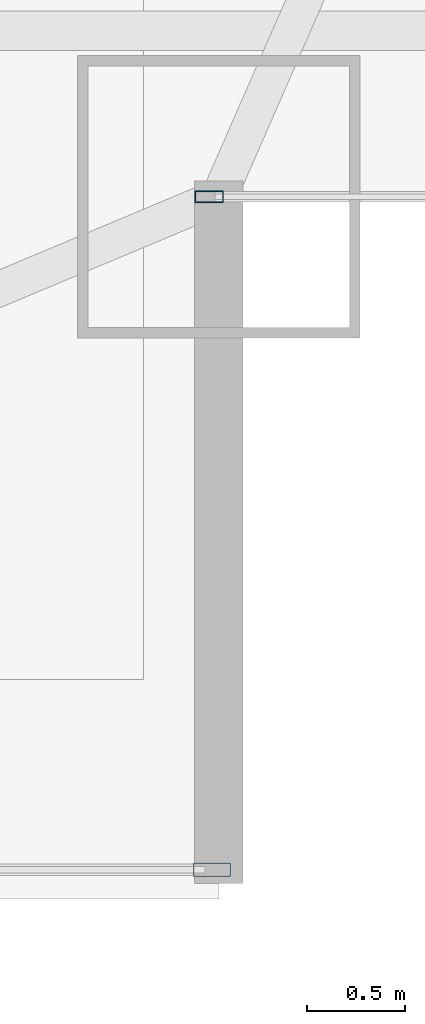
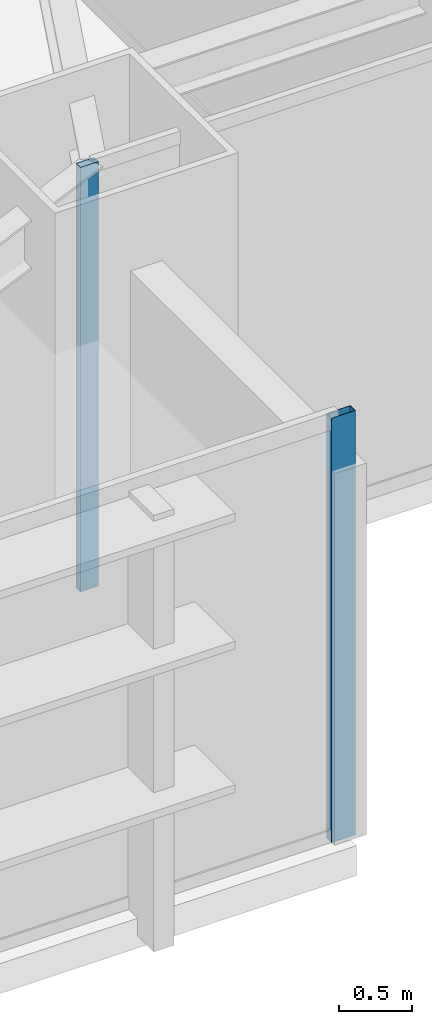
# One storey, part 14 of 32: 2 members, 2 elements without a shape of their own.
"""IFC4 building model written with IfcOpenShell, lengths in metres."""

from ifc_helpers import new_model, si_unit, direction, frame, origin, origin_2d, place, context, subcontext, project, spatial, hollow_rectangle, extrude, source, transform, mapped, material, layer, layer_set, material_profile, profile_set, type_object, type_shapes, element, aggregate, save


model = new_model("IFC4")

# Units and contexts
model_context = context("Model", 3, precision=1e-05, world=origin(), true_north=direction((0.0, 1.0)))
body_context = subcontext(model_context, "Body", "Model", "MODEL_VIEW")
ifc_project = project(units=[si_unit("LENGTHUNIT", "METRE"), si_unit("AREAUNIT", "SQUARE_METRE"), si_unit("VOLUMEUNIT", "CUBIC_METRE"), si_unit("PLANEANGLEUNIT", "RADIAN"), si_unit("MASSUNIT", "GRAM", prefix="KILO")], contexts=[model_context])

# Site, building, storey
site_placement = place(None, origin())
site = spatial("IfcSite", under=ifc_project, at=site_placement, CompositionType="ELEMENT")
building_placement = place(site_placement, origin())
building = spatial("IfcBuilding", under=site, at=building_placement, Name="Varnel Quay Broadcast Tower", CompositionType="ELEMENT")
storey_placement = place(building_placement, frame((0.0, 0.0, 90.800048828125)))
storey = spatial("IfcBuildingStorey", under=building, at=storey_placement, Name="L21", CompositionType="ELEMENT", Elevation=90.800048828125)

# Curtain wall, member
ifc_material = material(Name="Anodised Bronze Aluminium 6063-T6", Category="aluminium")
ifc_layer_1 = layer(ifc_material, 0.18994140625, Name="Anodised Bronze Aluminium 6063-T6")
ifc_layer_set_1 = layer_set([ifc_layer_1], Name="Anodised Bronze Aluminium 6063-T6")
curtain_wall_type_1 = type_object("IfcCurtainWallType", Name="CW_LowerTower", PredefinedType="NOTDEFINED", material=ifc_layer_set_1)
curtain_wall_1_placement = place(storey_placement, origin())
curtain_wall_1 = element("IfcCurtainWall", 1, at=curtain_wall_1_placement, inside=storey, type_object=curtain_wall_type_1, Name="L21 South Unitised Curtain Wall 1", PredefinedType="NOTDEFINED")
ifc_material_profile_1 = material_profile(ifc_material, hollow_rectangle(XDim=0.070068359375, YDim=0.18994140625, WallThickness=0.00390625, at=origin_2d()), Name="ALU70X190X4")
ifc_profile_set_1 = profile_set([ifc_material_profile_1], Name="Anodised Bronze Aluminium 6063-T6")
member_type_1 = type_object("IfcMemberType", Name="Mull_CWS-02", PredefinedType="MULLION", material=ifc_profile_set_1)
shared_shape_1 = source(origin(), body_context, "Body", "SweptSolid", [
    extrude(hollow_rectangle(XDim=0.070068359375, YDim=0.18994140625, WallThickness=0.00390625, at=origin_2d()), origin(), (0.0, 0.0, 1.0), 3.550048828125),
])
type_shapes(member_type_1, [shared_shape_1])
member_1_placement = place(storey_placement, frame((59.864990234375, 4.35009765625, 0.0), z_axis=(0.0, 0.0, 1.0), x_axis=(0.0, 1.0, 0.0)))
member_1 = element("IfcMember", 2, at=member_1_placement, type_object=member_type_1, Name="CWS-02 mullion 5", PredefinedType="MULLION", context=body_context, shape_type="MappedRepresentation", body=[
    mapped(shared_shape_1, transform((0.0, 0.0, 0.0), x_axis=(1.0, 0.0, 0.0), y_axis=(0.0, 1.0, 0.0), z_axis=(0.0, 0.0, 1.0), scale=1.0)),
])
aggregate(curtain_wall_1, [member_1])

ifc_layer_2 = layer(ifc_material, 0.18994140625, Name="Anodised Bronze Aluminium 6063-T6")
ifc_layer_set_2 = layer_set([ifc_layer_2], Name="Anodised Bronze Aluminium 6063-T6")
curtain_wall_type_2 = type_object("IfcCurtainWallType", Name="CW_NotchCorner", PredefinedType="NOTDEFINED", material=ifc_layer_set_2)
curtain_wall_2_placement = place(storey_placement, origin())
curtain_wall_2 = element("IfcCurtainWall", 3, at=curtain_wall_2_placement, inside=storey, type_object=curtain_wall_type_2, Name="L21 SE Notch Curtain Wall", PredefinedType="NOTDEFINED")
ifc_material_profile_2 = material_profile(ifc_material, hollow_rectangle(XDim=0.06005859375, YDim=0.14501953125, WallThickness=0.00341796875, at=origin_2d()), Name="ALU60X145X3.5")
ifc_profile_set_2 = profile_set([ifc_material_profile_2], Name="Anodised Bronze Aluminium 6063-T6")
member_type_2 = type_object("IfcMemberType", Name="Mull_CWS-04", PredefinedType="MULLION", material=ifc_profile_set_2)
shared_shape_2 = source(origin(), body_context, "Body", "SweptSolid", [
    extrude(hollow_rectangle(XDim=0.06005859375, YDim=0.14501953125, WallThickness=0.00341796875, at=origin_2d()), origin(), (0.0, 0.0, 1.0), 3.550048828125),
])
type_shapes(member_type_2, [shared_shape_2])
member_2_placement = place(storey_placement, frame((59.85009765625, 7.800048828125, 0.0), z_axis=(0.0, 0.0, 1.0), x_axis=(0.0, 1.0, 0.0)))
member_2 = element("IfcMember", 4, at=member_2_placement, type_object=member_type_2, Name="CWS-04 mullion 1", PredefinedType="MULLION", context=body_context, shape_type="MappedRepresentation", body=[
    mapped(shared_shape_2, transform((0.0, 0.0, 0.0), x_axis=(1.0, 0.0, 0.0), y_axis=(0.0, 1.0, 0.0), z_axis=(0.0, 0.0, 1.0), scale=1.0)),
])
aggregate(curtain_wall_2, [member_2])

save(model, "model.ifc")
